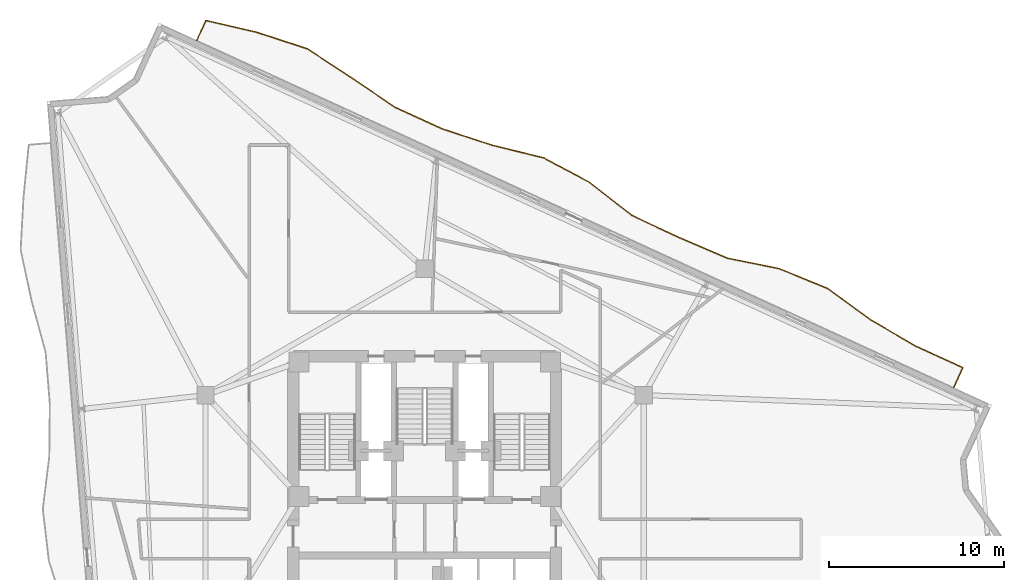
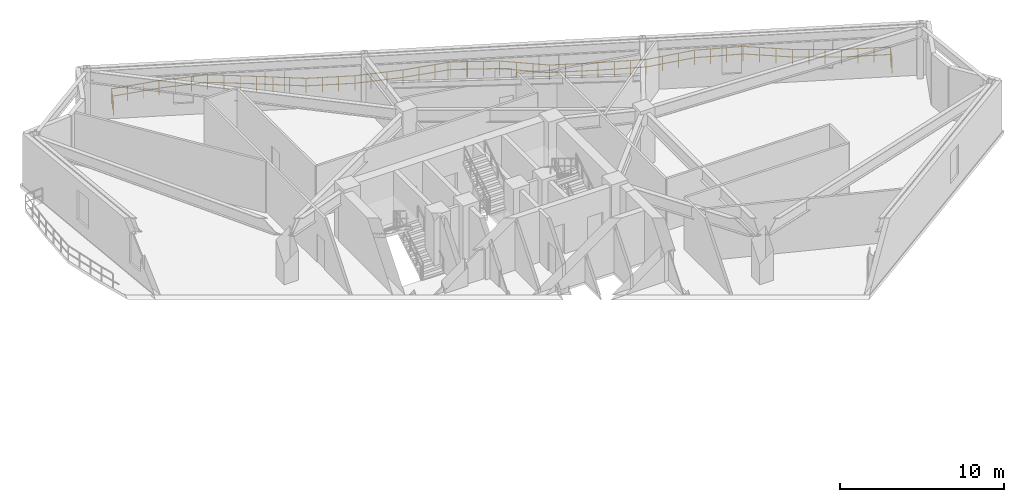
# One storey, part 10 of 10: 1 railing.
"""IFC4 building model written with IfcOpenShell, lengths in metres."""

from ifc_helpers import new_model, si_unit, direction, frame, origin, origin_2d, place, context, subcontext, project, spatial, rectangle, extrude, material, type_object, element, save


model = new_model("IFC4")

# Units and contexts
model_context = context("Model", 3, precision=1e-05, world=origin(), true_north=direction((0.0, 1.0)))
body_context = subcontext(model_context, "Body", "Model", "MODEL_VIEW")
ifc_project = project(units=[si_unit("LENGTHUNIT", "METRE"), si_unit("AREAUNIT", "SQUARE_METRE"), si_unit("VOLUMEUNIT", "CUBIC_METRE"), si_unit("PLANEANGLEUNIT", "RADIAN"), si_unit("MASSUNIT", "GRAM", prefix="KILO")], contexts=[model_context])

# Site, building, storey
site_placement = place(None, origin())
site = spatial("IfcSite", under=ifc_project, at=site_placement, CompositionType="ELEMENT")
building_placement = place(site_placement, origin())
building = spatial("IfcBuilding", under=site, at=building_placement, Name="Apsidion Concourse Tower", CompositionType="ELEMENT")
storey_placement = place(building_placement, frame((0.0, 0.0, 202.39990234375)))
storey = spatial("IfcBuildingStorey", under=building, at=storey_placement, Name="L47", CompositionType="ELEMENT", Elevation=202.39990234375)

# Railing
ifc_material = material(Name="Brushed stainless steel 316", Category="steel")
railing_type = type_object("IfcRailingType", Name="RL-BAL-1120", PredefinedType="BALUSTRADE", material=ifc_material)
railing_placement = place(storey_placement, frame((-13.060546875, 27.586181640625, 0.0)))
element("IfcRailing", 1, at=railing_placement, inside=storey, type_object=railing_type, Name="L47 Face 3 Rippling Balcony Balustrade", PredefinedType="BALUSTRADE", context=body_context, shape_type="SweptSolid", body=[
    extrude(rectangle(XDim=0.048095703125, YDim=0.048095703125, at=origin_2d()), frame((0.0, 0.0, 1.09619140625), z_axis=(0.416964027028, 0.908922989128, 0.0), x_axis=(-0.908922989128, 0.416964027028, 0.0)), (0.0, 0.0, 1.0), 1.25),
    extrude(rectangle(XDim=0.048095703125, YDim=0.048095703125, at=origin_2d()), frame((0.0, 0.0, 0.5361328125), z_axis=(0.416964027028, 0.908922989128, 0.0), x_axis=(-0.908922989128, 0.416964027028, 0.0)), (0.0, 0.0, 1.0), 1.25),
    extrude(rectangle(XDim=0.048095703125, YDim=0.048095703125, at=origin_2d()), frame((0.521240234375, 1.13623046875, 1.09619140625), z_axis=(0.973865458489, -0.227125667334, 0.0), x_axis=(0.227125667334, 0.973865458489, 0.0)), (0.0, 0.0, 1.0), 3.044189453125),
    extrude(rectangle(XDim=0.048095703125, YDim=0.048095703125, at=origin_2d()), frame((0.521240234375, 1.13623046875, 0.5361328125), z_axis=(0.973865458489, -0.227125667334, 0.0), x_axis=(0.227125667334, 0.973865458489, 0.0)), (0.0, 0.0, 1.0), 3.044189453125),
    extrude(rectangle(XDim=0.048095703125, YDim=0.048095703125, at=origin_2d()), frame((3.48583984375, 0.44482421875, 1.09619140625), z_axis=(0.95026505282, -0.311442337181, 0.0), x_axis=(0.311442337181, 0.95026505282, 0.0)), (0.0, 0.0, 1.0), 3.00244140625),
    extrude(rectangle(XDim=0.048095703125, YDim=0.048095703125, at=origin_2d()), frame((3.48583984375, 0.44482421875, 0.5361328125), z_axis=(0.95026505282, -0.311442337181, 0.0), x_axis=(0.311442337181, 0.95026505282, 0.0)), (0.0, 0.0, 1.0), 3.00244140625),
    extrude(rectangle(XDim=0.048095703125, YDim=0.048095703125, at=origin_2d()), frame((6.3388671875, -0.490234375, 1.09619140625), z_axis=(0.836296073992, -0.548278101538, 0.0), x_axis=(0.548278101538, 0.836296073992, 0.0)), (0.0, 0.0, 1.0), 3.016845703125),
    extrude(rectangle(XDim=0.048095703125, YDim=0.048095703125, at=origin_2d()), frame((6.3388671875, -0.490234375, 0.5361328125), z_axis=(0.836296073992, -0.548278101538, 0.0), x_axis=(0.548278101538, 0.836296073992, 0.0)), (0.0, 0.0, 1.0), 3.016845703125),
    extrude(rectangle(XDim=0.048095703125, YDim=0.048095703125, at=origin_2d()), frame((8.86181640625, -2.144287109375, 1.09619140625), z_axis=(0.828280106972, -0.560314255033, 0.0), x_axis=(0.560314255033, 0.828280106972, 0.0)), (0.0, 0.0, 1.0), 3.02392578125),
    extrude(rectangle(XDim=0.048095703125, YDim=0.048095703125, at=origin_2d()), frame((8.86181640625, -2.144287109375, 0.5361328125), z_axis=(0.828280106972, -0.560314255033, 0.0), x_axis=(0.560314255033, 0.828280106972, 0.0)), (0.0, 0.0, 1.0), 3.02392578125),
    extrude(rectangle(XDim=0.048095703125, YDim=0.048095703125, at=origin_2d()), frame((11.366455078125, -3.838623046875, 1.09619140625), z_axis=(0.9089485399, -0.416908325432, 0.0), x_axis=(0.416908325432, 0.9089485399, 0.0)), (0.0, 0.0, 1.0), 2.983154296875),
    extrude(rectangle(XDim=0.048095703125, YDim=0.048095703125, at=origin_2d()), frame((11.366455078125, -3.838623046875, 0.5361328125), z_axis=(0.9089485399, -0.416908325432, 0.0), x_axis=(0.416908325432, 0.9089485399, 0.0)), (0.0, 0.0, 1.0), 2.983154296875),
    extrude(rectangle(XDim=0.048095703125, YDim=0.048095703125, at=origin_2d()), frame((14.077880859375, -5.082275390625, 1.09619140625), z_axis=(0.950648533938, -0.310269825993, 0.0), x_axis=(0.310269825993, 0.950648533938, 0.0)), (0.0, 0.0, 1.0), 3.002685546875),
    extrude(rectangle(XDim=0.048095703125, YDim=0.048095703125, at=origin_2d()), frame((14.077880859375, -5.082275390625, 0.5361328125), z_axis=(0.950648533938, -0.310269825993, 0.0), x_axis=(0.310269825993, 0.950648533938, 0.0)), (0.0, 0.0, 1.0), 3.002685546875),
    extrude(rectangle(XDim=0.048095703125, YDim=0.048095703125, at=origin_2d()), frame((16.932373046875, -6.013916015625, 1.09619140625), z_axis=(0.971104073573, -0.238656402155, 0.0), x_axis=(0.238656402155, 0.971104073573, 0.0)), (0.0, 0.0, 1.0), 3.037109375),
    extrude(rectangle(XDim=0.048095703125, YDim=0.048095703125, at=origin_2d()), frame((16.932373046875, -6.013916015625, 0.5361328125), z_axis=(0.971104073573, -0.238656402155, 0.0), x_axis=(0.238656402155, 0.971104073573, 0.0)), (0.0, 0.0, 1.0), 3.037109375),
    extrude(rectangle(XDim=0.048095703125, YDim=0.048095703125, at=origin_2d()), frame((19.8818359375, -6.73876953125, 1.09619140625), z_axis=(0.882181004393, -0.470910475025, 0.0), x_axis=(0.470910475025, 0.882181004393, 0.0)), (0.0, 0.0, 1.0), 2.98828125),
    extrude(rectangle(XDim=0.048095703125, YDim=0.048095703125, at=origin_2d()), frame((19.8818359375, -6.73876953125, 0.5361328125), z_axis=(0.882181004393, -0.470910475025, 0.0), x_axis=(0.470910475025, 0.882181004393, 0.0)), (0.0, 0.0, 1.0), 2.98828125),
    extrude(rectangle(XDim=0.048095703125, YDim=0.048095703125, at=origin_2d()), frame((22.51806640625, -8.14599609375, 1.09619140625), z_axis=(0.787457958566, -0.616368366719, 0.0), x_axis=(0.616368366719, 0.787457958566, 0.0)), (0.0, 0.0, 1.0), 3.066650390625),
    extrude(rectangle(XDim=0.048095703125, YDim=0.048095703125, at=origin_2d()), frame((22.51806640625, -8.14599609375, 0.5361328125), z_axis=(0.787457958566, -0.616368366719, 0.0), x_axis=(0.616368366719, 0.787457958566, 0.0)), (0.0, 0.0, 1.0), 3.066650390625),
    extrude(rectangle(XDim=0.048095703125, YDim=0.048095703125, at=origin_2d()), frame((24.932861328125, -10.0361328125, 1.09619140625), z_axis=(0.905653450885, -0.424018663387, 0.0), x_axis=(0.424018663387, 0.905653450885, 0.0)), (0.0, 0.0, 1.0), 2.983154296875),
    extrude(rectangle(XDim=0.048095703125, YDim=0.048095703125, at=origin_2d()), frame((24.932861328125, -10.0361328125, 0.5361328125), z_axis=(0.905653450885, -0.424018663387, 0.0), x_axis=(0.424018663387, 0.905653450885, 0.0)), (0.0, 0.0, 1.0), 2.983154296875),
    extrude(rectangle(XDim=0.048095703125, YDim=0.048095703125, at=origin_2d()), frame((27.634521484375, -11.301025390625, 1.09619140625), z_axis=(0.918640681487, -0.395094037309, 0.0), x_axis=(0.395094037309, 0.918640681487, 0.0)), (0.0, 0.0, 1.0), 2.98388671875),
    extrude(rectangle(XDim=0.048095703125, YDim=0.048095703125, at=origin_2d()), frame((27.634521484375, -11.301025390625, 0.5361328125), z_axis=(0.918640681487, -0.395094037309, 0.0), x_axis=(0.395094037309, 0.918640681487, 0.0)), (0.0, 0.0, 1.0), 2.98388671875),
    extrude(rectangle(XDim=0.048095703125, YDim=0.048095703125, at=origin_2d()), frame((30.375732421875, -12.47998046875, 1.09619140625), z_axis=(0.98016785724, -0.198169048123, 0.0), x_axis=(0.198169048123, 0.98016785724, 0.0)), (0.0, 0.0, 1.0), 3.06396484375),
    extrude(rectangle(XDim=0.048095703125, YDim=0.048095703125, at=origin_2d()), frame((30.375732421875, -12.47998046875, 0.5361328125), z_axis=(0.98016785724, -0.198169048123, 0.0), x_axis=(0.198169048123, 0.98016785724, 0.0)), (0.0, 0.0, 1.0), 3.06396484375),
    extrude(rectangle(XDim=0.048095703125, YDim=0.048095703125, at=origin_2d()), frame((33.37890625, -13.087158203125, 1.09619140625), z_axis=(0.925423162045, -0.37893531262, 0.0), x_axis=(0.37893531262, 0.925423162045, 0.0)), (0.0, 0.0, 1.0), 2.985595703125),
    extrude(rectangle(XDim=0.048095703125, YDim=0.048095703125, at=origin_2d()), frame((33.37890625, -13.087158203125, 0.5361328125), z_axis=(0.925423162045, -0.37893531262, 0.0), x_axis=(0.37893531262, 0.925423162045, 0.0)), (0.0, 0.0, 1.0), 2.985595703125),
    extrude(rectangle(XDim=0.048095703125, YDim=0.048095703125, at=origin_2d()), frame((36.141845703125, -14.218505859375, 1.09619140625), z_axis=(0.808107761569, -0.589034672742, 0.0), x_axis=(0.589034672742, 0.808107761569, 0.0)), (0.0, 0.0, 1.0), 3.04345703125),
    extrude(rectangle(XDim=0.048095703125, YDim=0.048095703125, at=origin_2d()), frame((36.141845703125, -14.218505859375, 0.5361328125), z_axis=(0.808107761569, -0.589034672742, 0.0), x_axis=(0.589034672742, 0.808107761569, 0.0)), (0.0, 0.0, 1.0), 3.04345703125),
    extrude(rectangle(XDim=0.048095703125, YDim=0.048095703125, at=origin_2d()), frame((38.601318359375, -16.01123046875, 1.09619140625), z_axis=(0.864097803516, -0.503323937399, 0.0), x_axis=(0.503323937399, 0.864097803516, 0.0)), (0.0, 0.0, 1.0), 2.9970703125),
    extrude(rectangle(XDim=0.048095703125, YDim=0.048095703125, at=origin_2d()), frame((38.601318359375, -16.01123046875, 0.5361328125), z_axis=(0.864097803516, -0.503323937399, 0.0), x_axis=(0.503323937399, 0.864097803516, 0.0)), (0.0, 0.0, 1.0), 2.9970703125),
    extrude(rectangle(XDim=0.048095703125, YDim=0.048095703125, at=origin_2d()), frame((41.191162109375, -17.519775390625, 1.09619140625), z_axis=(0.908903293118, -0.417006958887, 0.0), x_axis=(0.417006958887, 0.908903293118, 0.0)), (0.0, 0.0, 1.0), 2.98291015625),
    extrude(rectangle(XDim=0.048095703125, YDim=0.048095703125, at=origin_2d()), frame((41.191162109375, -17.519775390625, 0.5361328125), z_axis=(0.908903293118, -0.417006958887, 0.0), x_axis=(0.417006958887, 0.908903293118, 0.0)), (0.0, 0.0, 1.0), 2.98291015625),
    extrude(rectangle(XDim=0.048095703125, YDim=0.048095703125, at=origin_2d()), frame((43.90234375, -18.763671875, 1.09619140625), z_axis=(-0.416876673848, -0.908963056896, 0.0), x_axis=(0.908963056896, -0.416876673848, 0.0)), (0.0, 0.0, 1.0), 1.249755859375),
    extrude(rectangle(XDim=0.048095703125, YDim=0.048095703125, at=origin_2d()), frame((43.90234375, -18.763671875, 0.5361328125), z_axis=(-0.416876673848, -0.908963056896, 0.0), x_axis=(0.908963056896, -0.416876673848, 0.0)), (0.0, 0.0, 1.0), 1.249755859375),
    extrude(rectangle(XDim=0.0419921875, YDim=0.0419921875, at=origin_2d()), origin(), (0.0, 0.0, 1.0), 1.072021484375),
    extrude(rectangle(XDim=0.0419921875, YDim=0.0419921875, at=origin_2d()), frame((0.2607421875, 0.568115234375, 0.0)), (0.0, 0.0, 1.0), 1.072021484375),
    extrude(rectangle(XDim=0.0419921875, YDim=0.0419921875, at=origin_2d()), frame((0.521240234375, 1.13623046875, 0.0)), (0.0, 0.0, 1.0), 1.072021484375),
    extrude(rectangle(XDim=0.0419921875, YDim=0.0419921875, at=origin_2d()), frame((1.509521484375, 0.90576171875, 0.0)), (0.0, 0.0, 1.0), 1.072021484375),
    extrude(rectangle(XDim=0.0419921875, YDim=0.0419921875, at=origin_2d()), frame((2.49755859375, 0.67529296875, 0.0)), (0.0, 0.0, 1.0), 1.072021484375),
    extrude(rectangle(XDim=0.0419921875, YDim=0.0419921875, at=origin_2d()), frame((3.48583984375, 0.44482421875, 0.0)), (0.0, 0.0, 1.0), 1.072021484375),
    extrude(rectangle(XDim=0.0419921875, YDim=0.0419921875, at=origin_2d()), frame((4.436767578125, 0.133056640625, 0.0)), (0.0, 0.0, 1.0), 1.072021484375),
    extrude(rectangle(XDim=0.0419921875, YDim=0.0419921875, at=origin_2d()), frame((5.387939453125, -0.178466796875, 0.0)), (0.0, 0.0, 1.0), 1.072021484375),
    extrude(rectangle(XDim=0.0419921875, YDim=0.0419921875, at=origin_2d()), frame((6.3388671875, -0.490234375, 0.0)), (0.0, 0.0, 1.0), 1.072021484375),
    extrude(rectangle(XDim=0.0419921875, YDim=0.0419921875, at=origin_2d()), frame((7.179931640625, -1.04150390625, 0.0)), (0.0, 0.0, 1.0), 1.072021484375),
    extrude(rectangle(XDim=0.0419921875, YDim=0.0419921875, at=origin_2d()), frame((8.020751953125, -1.593017578125, 0.0)), (0.0, 0.0, 1.0), 1.072021484375),
    extrude(rectangle(XDim=0.0419921875, YDim=0.0419921875, at=origin_2d()), frame((8.86181640625, -2.144287109375, 0.0)), (0.0, 0.0, 1.0), 1.072021484375),
    extrude(rectangle(XDim=0.0419921875, YDim=0.0419921875, at=origin_2d()), frame((9.69677734375, -2.708984375, 0.0)), (0.0, 0.0, 1.0), 1.072021484375),
    extrude(rectangle(XDim=0.0419921875, YDim=0.0419921875, at=origin_2d()), frame((10.531494140625, -3.27392578125, 0.0)), (0.0, 0.0, 1.0), 1.072021484375),
    extrude(rectangle(XDim=0.0419921875, YDim=0.0419921875, at=origin_2d()), frame((11.366455078125, -3.838623046875, 0.0)), (0.0, 0.0, 1.0), 1.072021484375),
    extrude(rectangle(XDim=0.0419921875, YDim=0.0419921875, at=origin_2d()), frame((12.270263671875, -4.253173828125, 0.0)), (0.0, 0.0, 1.0), 1.072021484375),
    extrude(rectangle(XDim=0.0419921875, YDim=0.0419921875, at=origin_2d()), frame((13.174072265625, -4.667724609375, 0.0)), (0.0, 0.0, 1.0), 1.072021484375),
    extrude(rectangle(XDim=0.0419921875, YDim=0.0419921875, at=origin_2d()), frame((14.077880859375, -5.082275390625, 0.0)), (0.0, 0.0, 1.0), 1.072021484375),
    extrude(rectangle(XDim=0.0419921875, YDim=0.0419921875, at=origin_2d()), frame((15.029296875, -5.392822265625, 0.0)), (0.0, 0.0, 1.0), 1.072021484375),
    extrude(rectangle(XDim=0.0419921875, YDim=0.0419921875, at=origin_2d()), frame((15.98095703125, -5.703369140625, 0.0)), (0.0, 0.0, 1.0), 1.072021484375),
    extrude(rectangle(XDim=0.0419921875, YDim=0.0419921875, at=origin_2d()), frame((16.932373046875, -6.013916015625, 0.0)), (0.0, 0.0, 1.0), 1.072021484375),
    extrude(rectangle(XDim=0.0419921875, YDim=0.0419921875, at=origin_2d()), frame((17.91552734375, -6.255615234375, 0.0)), (0.0, 0.0, 1.0), 1.072021484375),
    extrude(rectangle(XDim=0.0419921875, YDim=0.0419921875, at=origin_2d()), frame((18.898681640625, -6.4970703125, 0.0)), (0.0, 0.0, 1.0), 1.072021484375),
    extrude(rectangle(XDim=0.0419921875, YDim=0.0419921875, at=origin_2d()), frame((19.8818359375, -6.73876953125, 0.0)), (0.0, 0.0, 1.0), 1.072021484375),
    extrude(rectangle(XDim=0.0419921875, YDim=0.0419921875, at=origin_2d()), frame((20.760498046875, -7.207763671875, 0.0)), (0.0, 0.0, 1.0), 1.072021484375),
    extrude(rectangle(XDim=0.0419921875, YDim=0.0419921875, at=origin_2d()), frame((21.639404296875, -7.677001953125, 0.0)), (0.0, 0.0, 1.0), 1.072021484375),
    extrude(rectangle(XDim=0.0419921875, YDim=0.0419921875, at=origin_2d()), frame((22.51806640625, -8.14599609375, 0.0)), (0.0, 0.0, 1.0), 1.072021484375),
    extrude(rectangle(XDim=0.0419921875, YDim=0.0419921875, at=origin_2d()), frame((23.322998046875, -8.776123046875, 0.0)), (0.0, 0.0, 1.0), 1.072021484375),
    extrude(rectangle(XDim=0.0419921875, YDim=0.0419921875, at=origin_2d()), frame((24.1279296875, -9.406005859375, 0.0)), (0.0, 0.0, 1.0), 1.072021484375),
    extrude(rectangle(XDim=0.0419921875, YDim=0.0419921875, at=origin_2d()), frame((24.932861328125, -10.0361328125, 0.0)), (0.0, 0.0, 1.0), 1.072021484375),
    extrude(rectangle(XDim=0.0419921875, YDim=0.0419921875, at=origin_2d()), frame((25.83349609375, -10.457763671875, 0.0)), (0.0, 0.0, 1.0), 1.072021484375),
    extrude(rectangle(XDim=0.0419921875, YDim=0.0419921875, at=origin_2d()), frame((26.73388671875, -10.87939453125, 0.0)), (0.0, 0.0, 1.0), 1.072021484375),
    extrude(rectangle(XDim=0.0419921875, YDim=0.0419921875, at=origin_2d()), frame((27.634521484375, -11.301025390625, 0.0)), (0.0, 0.0, 1.0), 1.072021484375),
    extrude(rectangle(XDim=0.0419921875, YDim=0.0419921875, at=origin_2d()), frame((28.54833984375, -11.694091796875, 0.0)), (0.0, 0.0, 1.0), 1.072021484375),
    extrude(rectangle(XDim=0.0419921875, YDim=0.0419921875, at=origin_2d()), frame((29.4619140625, -12.0869140625, 0.0)), (0.0, 0.0, 1.0), 1.072021484375),
    extrude(rectangle(XDim=0.0419921875, YDim=0.0419921875, at=origin_2d()), frame((30.375732421875, -12.47998046875, 0.0)), (0.0, 0.0, 1.0), 1.072021484375),
    extrude(rectangle(XDim=0.0419921875, YDim=0.0419921875, at=origin_2d()), frame((31.376708984375, -12.682373046875, 0.0)), (0.0, 0.0, 1.0), 1.072021484375),
    extrude(rectangle(XDim=0.0419921875, YDim=0.0419921875, at=origin_2d()), frame((32.3779296875, -12.884765625, 0.0)), (0.0, 0.0, 1.0), 1.072021484375),
    extrude(rectangle(XDim=0.0419921875, YDim=0.0419921875, at=origin_2d()), frame((33.37890625, -13.087158203125, 0.0)), (0.0, 0.0, 1.0), 1.072021484375),
    extrude(rectangle(XDim=0.0419921875, YDim=0.0419921875, at=origin_2d()), frame((34.2998046875, -13.46435546875, 0.0)), (0.0, 0.0, 1.0), 1.072021484375),
    extrude(rectangle(XDim=0.0419921875, YDim=0.0419921875, at=origin_2d()), frame((35.220947265625, -13.84130859375, 0.0)), (0.0, 0.0, 1.0), 1.072021484375),
    extrude(rectangle(XDim=0.0419921875, YDim=0.0419921875, at=origin_2d()), frame((36.141845703125, -14.218505859375, 0.0)), (0.0, 0.0, 1.0), 1.072021484375),
    extrude(rectangle(XDim=0.0419921875, YDim=0.0419921875, at=origin_2d()), frame((36.961669921875, -14.816162109375, 0.0)), (0.0, 0.0, 1.0), 1.072021484375),
    extrude(rectangle(XDim=0.0419921875, YDim=0.0419921875, at=origin_2d()), frame((37.781494140625, -15.41357421875, 0.0)), (0.0, 0.0, 1.0), 1.072021484375),
    extrude(rectangle(XDim=0.0419921875, YDim=0.0419921875, at=origin_2d()), frame((38.601318359375, -16.01123046875, 0.0)), (0.0, 0.0, 1.0), 1.072021484375),
    extrude(rectangle(XDim=0.0419921875, YDim=0.0419921875, at=origin_2d()), frame((39.464599609375, -16.51416015625, 0.0)), (0.0, 0.0, 1.0), 1.072021484375),
    extrude(rectangle(XDim=0.0419921875, YDim=0.0419921875, at=origin_2d()), frame((40.327880859375, -17.016845703125, 0.0)), (0.0, 0.0, 1.0), 1.072021484375),
    extrude(rectangle(XDim=0.0419921875, YDim=0.0419921875, at=origin_2d()), frame((41.191162109375, -17.519775390625, 0.0)), (0.0, 0.0, 1.0), 1.072021484375),
    extrude(rectangle(XDim=0.0419921875, YDim=0.0419921875, at=origin_2d()), frame((42.094970703125, -17.934326171875, 0.0)), (0.0, 0.0, 1.0), 1.072021484375),
    extrude(rectangle(XDim=0.0419921875, YDim=0.0419921875, at=origin_2d()), frame((42.99853515625, -18.34912109375, 0.0)), (0.0, 0.0, 1.0), 1.072021484375),
    extrude(rectangle(XDim=0.0419921875, YDim=0.0419921875, at=origin_2d()), frame((43.90234375, -18.763671875, 0.0)), (0.0, 0.0, 1.0), 1.072021484375),
    extrude(rectangle(XDim=0.0419921875, YDim=0.0419921875, at=origin_2d()), frame((43.641845703125, -19.33154296875, 0.0)), (0.0, 0.0, 1.0), 1.072021484375),
    extrude(rectangle(XDim=0.0419921875, YDim=0.0419921875, at=origin_2d()), frame((43.38134765625, -19.899658203125, 0.0)), (0.0, 0.0, 1.0), 1.072021484375),
])

save(model, "model.ifc")
